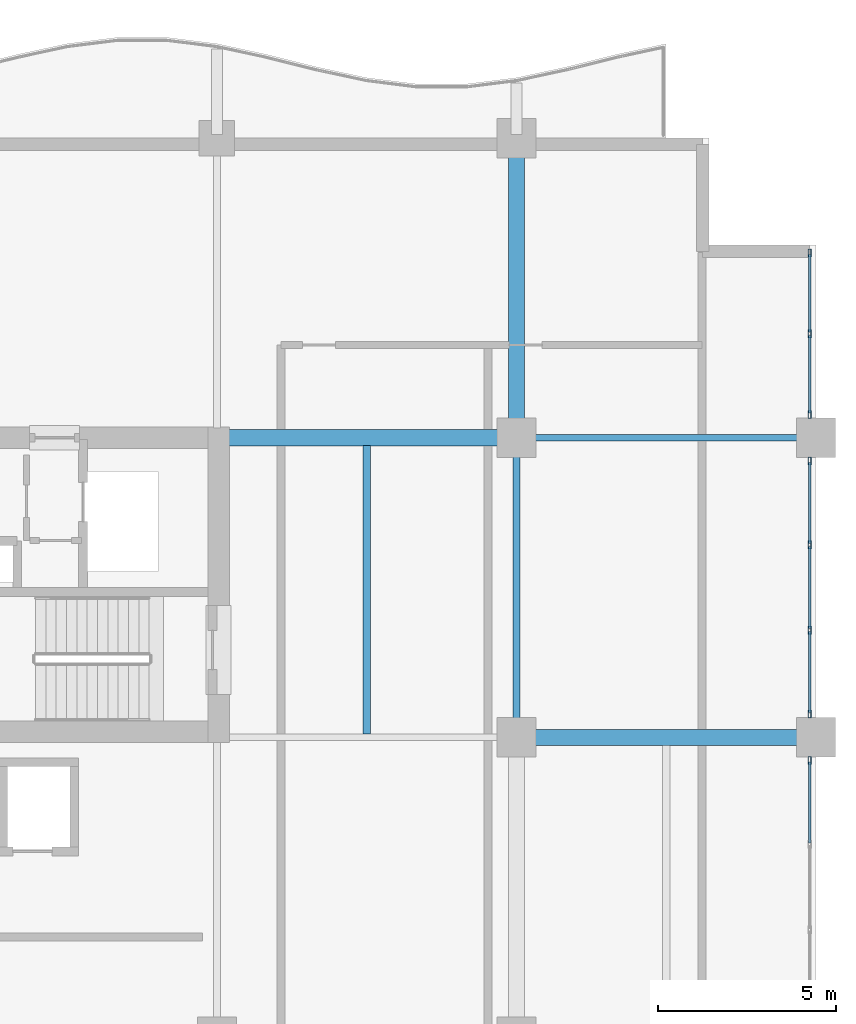
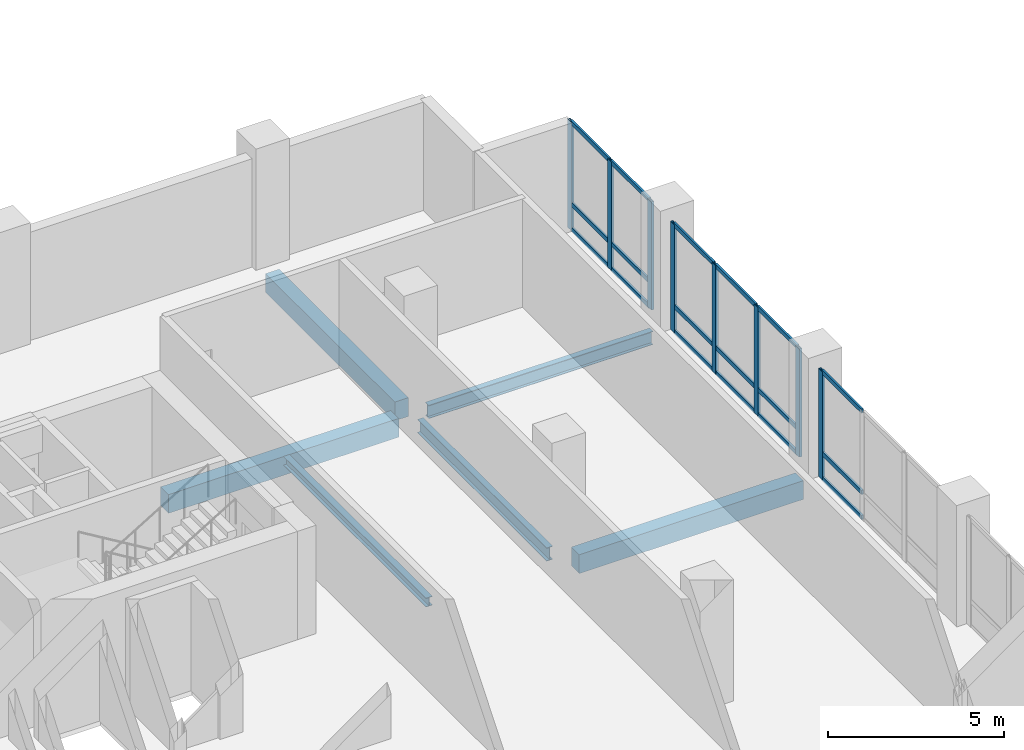
# One storey, part 4 of 21: 26 members, 6 beams, 3 elements without a shape of their own.
"""IFC4 building model written with IfcOpenShell, lengths in metres."""

from ifc_helpers import new_model, si_unit, direction, frame, origin, origin_2d, place, context, subcontext, project, spatial, rectangle, hollow_rectangle, i_section, extrude, material, layer, layer_set, material_profile, profile_set, type_object, element, aggregate, save


model = new_model("IFC4")

# Units and contexts
model_context = context("Model", 3, precision=1e-05, world=origin(), true_north=direction((0.0, 1.0)))
body_context = subcontext(model_context, "Body", "Model", "MODEL_VIEW")
ifc_project = project(units=[si_unit("LENGTHUNIT", "METRE"), si_unit("AREAUNIT", "SQUARE_METRE"), si_unit("VOLUMEUNIT", "CUBIC_METRE"), si_unit("PLANEANGLEUNIT", "RADIAN"), si_unit("MASSUNIT", "GRAM", prefix="KILO")], contexts=[model_context])

# Site, building, storey
site_placement = place(None, origin())
site = spatial("IfcSite", under=ifc_project, at=site_placement, CompositionType="ELEMENT")
building_placement = place(site_placement, origin())
building = spatial("IfcBuilding", under=site, at=building_placement, Name="Koriwani Terraces Tower", CompositionType="ELEMENT")
storey_placement = place(building_placement, frame((0.0, 0.0, 224.0)))
storey = spatial("IfcBuildingStorey", under=building, at=storey_placement, Name="L55", CompositionType="ELEMENT", Elevation=224.0)

# Beams
ifc_material_1 = material(Name="Concrete C50/60", Category="concrete")
ifc_material_profile_1 = material_profile(ifc_material_1, rectangle(XDim=0.449951171875, YDim=0.64990234375, at=origin_2d()), Name="Concrete C50/60", Category="LoadBearing")
ifc_profile_set_1 = profile_set([ifc_material_profile_1], Name="Concrete C50/60")
beam_type_1 = type_object("IfcBeamType", Name="BEAM_RC_GRID_450X650", PredefinedType="BEAM", material=ifc_profile_set_1)
beam_1_placement = place(storey_placement, frame((67.72998046875, 16.800048828125, -0.554931640625), z_axis=(1.0, 0.0, 0.0), x_axis=(0.0, 1.0, 0.0)))
element("IfcBeam", 1, at=beam_1_placement, inside=storey, type_object=beam_type_1, Name="L55 Grid Beam C (67.2-75.6m)", PredefinedType="BEAM", context=body_context, shape_type="SweptSolid", body=[
    extrude(rectangle(XDim=0.449951171875, YDim=0.64990234375, at=origin_2d()), origin(), (0.0, 0.0, 1.0), 7.340087890625),
])
beam_2_placement = place(storey_placement, frame((59.1298828125, 25.199951171875, -0.554931640625), z_axis=(1.0, 0.0, 0.0), x_axis=(0.0, 1.0, 0.0)))
element("IfcBeam", 2, at=beam_2_placement, inside=storey, type_object=beam_type_1, Name="L55 Grid Beam D (58.8-67.2m)", PredefinedType="BEAM", context=body_context, shape_type="SweptSolid", body=[
    extrude(rectangle(XDim=0.449951171875, YDim=0.64990234375, at=origin_2d()), origin(), (0.0, 0.0, 1.0), 7.5400390625),
])
beam_3_placement = place(storey_placement, frame((67.199951171875, 25.72998046875, -0.554931640625), z_axis=(0.0, 1.0, 0.0), x_axis=(-1.0, 0.0, 0.0)))
element("IfcBeam", 3, at=beam_3_placement, inside=storey, type_object=beam_type_1, Name="L55 Grid Beam 9 (25.2-33.6m)", PredefinedType="BEAM", context=body_context, shape_type="SweptSolid", body=[
    extrude(rectangle(XDim=0.449951171875, YDim=0.64990234375, at=origin_2d()), origin(), (0.0, 0.0, 1.0), 7.340087890625),
])

# Curtain wall, members
ifc_material_2 = material(Name="Anodised Bronze Aluminium", Category="aluminium")
ifc_layer = layer(ifc_material_2, 0.219970703125, Name="Anodised Bronze Aluminium")
ifc_layer_set = layer_set([ifc_layer], Name="Anodised Bronze Aluminium")
curtain_wall_type = type_object("IfcCurtainWallType", Name="CW_SKY_LOUNGE", PredefinedType="NOTDEFINED", material=ifc_layer_set)
curtain_wall_1_placement = place(storey_placement, origin())
curtain_wall_1 = element("IfcCurtainWall", 4, at=curtain_wall_1_placement, inside=storey, type_object=curtain_wall_type, Name="L55 Unitised Curtain Wall (E_TIP) Bay 1", PredefinedType="NOTDEFINED")
ifc_material_profile_2 = material_profile(ifc_material_2, hollow_rectangle(XDim=0.0849609375, YDim=0.219970703125, WallThickness=0.008056640625, at=origin_2d()), Name="Anodised Bronze Aluminium", Category="LoadBearing")
ifc_profile_set_2 = profile_set([ifc_material_profile_2], Name="Anodised Bronze Aluminium")
member_type_1 = type_object("IfcMemberType", Name="CW_MULLION_220X85", PredefinedType="MULLION", material=ifc_profile_set_2)
member_1_placement = place(storey_placement, frame((75.425048828125, 30.382568359375, 0.0), z_axis=(0.0, 0.0, 1.0), x_axis=(1.0, 0.0, 0.0)))
member_1 = element("IfcMember", 5, at=member_1_placement, type_object=member_type_1, Name="CW-SKY mullion 1", PredefinedType="MULLION", context=body_context, shape_type="SweptSolid", body=[
    extrude(hollow_rectangle(XDim=0.0849609375, YDim=0.219970703125, WallThickness=0.008056640625, at=origin_2d()), origin(), (0.0, 0.0, 1.0), 3.75),
])
member_2_placement = place(storey_placement, frame((75.425048828125, 28.117431640625, 0.0), z_axis=(0.0, 0.0, 1.0), x_axis=(1.0, 0.0, 0.0)))
member_2 = element("IfcMember", 6, at=member_2_placement, type_object=member_type_1, Name="CW-SKY mullion 2", PredefinedType="MULLION", context=body_context, shape_type="SweptSolid", body=[
    extrude(hollow_rectangle(XDim=0.0849609375, YDim=0.219970703125, WallThickness=0.008056640625, at=origin_2d()), origin(), (0.0, 0.0, 1.0), 3.75),
])
member_3_placement = place(storey_placement, frame((75.425048828125, 25.8525390625, 0.0), z_axis=(0.0, 0.0, 1.0), x_axis=(1.0, 0.0, 0.0)))
member_3 = element("IfcMember", 7, at=member_3_placement, type_object=member_type_1, Name="CW-SKY mullion 3", PredefinedType="MULLION", context=body_context, shape_type="SweptSolid", body=[
    extrude(hollow_rectangle(XDim=0.0849609375, YDim=0.219970703125, WallThickness=0.008056640625, at=origin_2d()), origin(), (0.0, 0.0, 1.0), 3.75),
])

curtain_wall_2_placement = place(storey_placement, origin())
curtain_wall_2 = element("IfcCurtainWall", 8, at=curtain_wall_2_placement, inside=storey, type_object=curtain_wall_type, Name="L55 Unitised Curtain Wall (E_TIP) Bay 2", PredefinedType="NOTDEFINED")
member_4_placement = place(storey_placement, frame((75.425048828125, 24.547607421875, 0.0), z_axis=(0.0, 0.0, 1.0), x_axis=(1.0, 0.0, 0.0)))
member_4 = element("IfcMember", 9, at=member_4_placement, type_object=member_type_1, Name="CW-SKY mullion 1", PredefinedType="MULLION", context=body_context, shape_type="SweptSolid", body=[
    extrude(hollow_rectangle(XDim=0.0849609375, YDim=0.219970703125, WallThickness=0.008056640625, at=origin_2d()), origin(), (0.0, 0.0, 1.0), 3.75),
])
member_5_placement = place(storey_placement, frame((75.425048828125, 22.19677734375, 0.0), z_axis=(0.0, 0.0, 1.0), x_axis=(1.0, 0.0, 0.0)))
member_5 = element("IfcMember", 10, at=member_5_placement, type_object=member_type_1, Name="CW-SKY mullion 2", PredefinedType="MULLION", context=body_context, shape_type="SweptSolid", body=[
    extrude(hollow_rectangle(XDim=0.0849609375, YDim=0.219970703125, WallThickness=0.008056640625, at=origin_2d()), origin(), (0.0, 0.0, 1.0), 3.75),
])
member_6_placement = place(storey_placement, frame((75.425048828125, 19.80322265625, 0.0), z_axis=(0.0, 0.0, 1.0), x_axis=(1.0, 0.0, 0.0)))
member_6 = element("IfcMember", 11, at=member_6_placement, type_object=member_type_1, Name="CW-SKY mullion 3", PredefinedType="MULLION", context=body_context, shape_type="SweptSolid", body=[
    extrude(hollow_rectangle(XDim=0.0849609375, YDim=0.219970703125, WallThickness=0.008056640625, at=origin_2d()), origin(), (0.0, 0.0, 1.0), 3.75),
])
member_7_placement = place(storey_placement, frame((75.425048828125, 17.452392578125, 0.0), z_axis=(0.0, 0.0, 1.0), x_axis=(1.0, 0.0, 0.0)))
member_7 = element("IfcMember", 12, at=member_7_placement, type_object=member_type_1, Name="CW-SKY mullion 4", PredefinedType="MULLION", context=body_context, shape_type="SweptSolid", body=[
    extrude(hollow_rectangle(XDim=0.0849609375, YDim=0.219970703125, WallThickness=0.008056640625, at=origin_2d()), origin(), (0.0, 0.0, 1.0), 3.75),
])

# Curtain wall, member
curtain_wall_3_placement = place(storey_placement, origin())
curtain_wall_3 = element("IfcCurtainWall", 13, at=curtain_wall_3_placement, inside=storey, type_object=curtain_wall_type, Name="L55 Unitised Curtain Wall (E_TIP) Bay 3", PredefinedType="NOTDEFINED")
member_8_placement = place(storey_placement, frame((75.425048828125, 16.1474609375, 0.0), z_axis=(0.0, 0.0, 1.0), x_axis=(1.0, 0.0, 0.0)))
member_8 = element("IfcMember", 14, at=member_8_placement, type_object=member_type_1, Name="CW-SKY mullion 1", PredefinedType="MULLION", context=body_context, shape_type="SweptSolid", body=[
    extrude(hollow_rectangle(XDim=0.0849609375, YDim=0.219970703125, WallThickness=0.008056640625, at=origin_2d()), origin(), (0.0, 0.0, 1.0), 3.75),
])

# Member
ifc_material_profile_3 = material_profile(ifc_material_2, hollow_rectangle(XDim=0.06494140625, YDim=0.14990234375, WallThickness=0.0048828125, at=origin_2d()), Name="Anodised Bronze Aluminium", Category="LoadBearing")
ifc_profile_set_3 = profile_set([ifc_material_profile_3], Name="Anodised Bronze Aluminium")
member_type_2 = type_object("IfcMemberType", Name="CW_TRANSOM_150X65", PredefinedType="USERDEFINED", material=ifc_profile_set_3)
member_9_placement = place(storey_placement, frame((75.425048828125, 30.340087890625, 0.032470703125), z_axis=(0.0, -1.0, 0.0), x_axis=(1.0, 0.0, 0.0)))
member_9 = element("IfcMember", 15, at=member_9_placement, type_object=member_type_2, Name="CW-SKY transom 1.1", ObjectType="TRANSOM", PredefinedType="USERDEFINED", context=body_context, shape_type="SweptSolid", body=[
    extrude(hollow_rectangle(XDim=0.06494140625, YDim=0.14990234375, WallThickness=0.0048828125, at=origin_2d()), origin(), (0.0, 0.0, 1.0), 2.18017578125),
])

member_10_placement = place(storey_placement, frame((75.425048828125, 30.340087890625, 0.89990234375), z_axis=(0.0, -1.0, 0.0), x_axis=(1.0, 0.0, 0.0)))
member_10 = element("IfcMember", 16, at=member_10_placement, type_object=member_type_2, Name="CW-SKY transom 1.2", ObjectType="TRANSOM", PredefinedType="USERDEFINED", context=body_context, shape_type="SweptSolid", body=[
    extrude(hollow_rectangle(XDim=0.06494140625, YDim=0.14990234375, WallThickness=0.0048828125, at=origin_2d()), origin(), (0.0, 0.0, 1.0), 2.18017578125),
])

member_11_placement = place(storey_placement, frame((75.425048828125, 30.340087890625, 3.717529296875), z_axis=(0.0, -1.0, 0.0), x_axis=(1.0, 0.0, 0.0)))
member_11 = element("IfcMember", 17, at=member_11_placement, type_object=member_type_2, Name="CW-SKY transom 1.3", ObjectType="TRANSOM", PredefinedType="USERDEFINED", context=body_context, shape_type="SweptSolid", body=[
    extrude(hollow_rectangle(XDim=0.06494140625, YDim=0.14990234375, WallThickness=0.0048828125, at=origin_2d()), origin(), (0.0, 0.0, 1.0), 2.18017578125),
])

member_12_placement = place(storey_placement, frame((75.425048828125, 28.074951171875, 0.032470703125), z_axis=(0.0, -1.0, 0.0), x_axis=(1.0, 0.0, 0.0)))
member_12 = element("IfcMember", 18, at=member_12_placement, type_object=member_type_2, Name="CW-SKY transom 2.1", ObjectType="TRANSOM", PredefinedType="USERDEFINED", context=body_context, shape_type="SweptSolid", body=[
    extrude(hollow_rectangle(XDim=0.06494140625, YDim=0.14990234375, WallThickness=0.0048828125, at=origin_2d()), origin(), (0.0, 0.0, 1.0), 2.179931640625),
])

member_13_placement = place(storey_placement, frame((75.425048828125, 28.074951171875, 0.89990234375), z_axis=(0.0, -1.0, 0.0), x_axis=(1.0, 0.0, 0.0)))
member_13 = element("IfcMember", 19, at=member_13_placement, type_object=member_type_2, Name="CW-SKY transom 2.2", ObjectType="TRANSOM", PredefinedType="USERDEFINED", context=body_context, shape_type="SweptSolid", body=[
    extrude(hollow_rectangle(XDim=0.06494140625, YDim=0.14990234375, WallThickness=0.0048828125, at=origin_2d()), origin(), (0.0, 0.0, 1.0), 2.179931640625),
])

member_14_placement = place(storey_placement, frame((75.425048828125, 28.074951171875, 3.717529296875), z_axis=(0.0, -1.0, 0.0), x_axis=(1.0, 0.0, 0.0)))
member_14 = element("IfcMember", 20, at=member_14_placement, type_object=member_type_2, Name="CW-SKY transom 2.3", ObjectType="TRANSOM", PredefinedType="USERDEFINED", context=body_context, shape_type="SweptSolid", body=[
    extrude(hollow_rectangle(XDim=0.06494140625, YDim=0.14990234375, WallThickness=0.0048828125, at=origin_2d()), origin(), (0.0, 0.0, 1.0), 2.179931640625),
])

aggregate(curtain_wall_1, [member_1, member_2, member_3, member_9, member_10, member_11, member_12, member_13, member_14])

member_15_placement = place(storey_placement, frame((75.425048828125, 24.5048828125, 0.032470703125), z_axis=(0.0, -1.0, 0.0), x_axis=(1.0, 0.0, 0.0)))
member_15 = element("IfcMember", 21, at=member_15_placement, type_object=member_type_2, Name="CW-SKY transom 1.1", ObjectType="TRANSOM", PredefinedType="USERDEFINED", context=body_context, shape_type="SweptSolid", body=[
    extrude(hollow_rectangle(XDim=0.06494140625, YDim=0.14990234375, WallThickness=0.0048828125, at=origin_2d()), origin(), (0.0, 0.0, 1.0), 2.265625),
])

member_16_placement = place(storey_placement, frame((75.425048828125, 24.5048828125, 0.89990234375), z_axis=(0.0, -1.0, 0.0), x_axis=(1.0, 0.0, 0.0)))
member_16 = element("IfcMember", 22, at=member_16_placement, type_object=member_type_2, Name="CW-SKY transom 1.2", ObjectType="TRANSOM", PredefinedType="USERDEFINED", context=body_context, shape_type="SweptSolid", body=[
    extrude(hollow_rectangle(XDim=0.06494140625, YDim=0.14990234375, WallThickness=0.0048828125, at=origin_2d()), origin(), (0.0, 0.0, 1.0), 2.265625),
])

member_17_placement = place(storey_placement, frame((75.425048828125, 24.5048828125, 3.717529296875), z_axis=(0.0, -1.0, 0.0), x_axis=(1.0, 0.0, 0.0)))
member_17 = element("IfcMember", 23, at=member_17_placement, type_object=member_type_2, Name="CW-SKY transom 1.3", ObjectType="TRANSOM", PredefinedType="USERDEFINED", context=body_context, shape_type="SweptSolid", body=[
    extrude(hollow_rectangle(XDim=0.06494140625, YDim=0.14990234375, WallThickness=0.0048828125, at=origin_2d()), origin(), (0.0, 0.0, 1.0), 2.265625),
])

member_18_placement = place(storey_placement, frame((75.425048828125, 22.154052734375, 0.032470703125), z_axis=(0.0, -1.0, 0.0), x_axis=(1.0, 0.0, 0.0)))
member_18 = element("IfcMember", 24, at=member_18_placement, type_object=member_type_2, Name="CW-SKY transom 2.1", ObjectType="TRANSOM", PredefinedType="USERDEFINED", context=body_context, shape_type="SweptSolid", body=[
    extrude(hollow_rectangle(XDim=0.06494140625, YDim=0.14990234375, WallThickness=0.0048828125, at=origin_2d()), origin(), (0.0, 0.0, 1.0), 2.30810546875),
])

member_19_placement = place(storey_placement, frame((75.425048828125, 22.154052734375, 0.89990234375), z_axis=(0.0, -1.0, 0.0), x_axis=(1.0, 0.0, 0.0)))
member_19 = element("IfcMember", 25, at=member_19_placement, type_object=member_type_2, Name="CW-SKY transom 2.2", ObjectType="TRANSOM", PredefinedType="USERDEFINED", context=body_context, shape_type="SweptSolid", body=[
    extrude(hollow_rectangle(XDim=0.06494140625, YDim=0.14990234375, WallThickness=0.0048828125, at=origin_2d()), origin(), (0.0, 0.0, 1.0), 2.30810546875),
])

member_20_placement = place(storey_placement, frame((75.425048828125, 22.154052734375, 3.717529296875), z_axis=(0.0, -1.0, 0.0), x_axis=(1.0, 0.0, 0.0)))
member_20 = element("IfcMember", 26, at=member_20_placement, type_object=member_type_2, Name="CW-SKY transom 2.3", ObjectType="TRANSOM", PredefinedType="USERDEFINED", context=body_context, shape_type="SweptSolid", body=[
    extrude(hollow_rectangle(XDim=0.06494140625, YDim=0.14990234375, WallThickness=0.0048828125, at=origin_2d()), origin(), (0.0, 0.0, 1.0), 2.30810546875),
])

member_21_placement = place(storey_placement, frame((75.425048828125, 19.7607421875, 0.032470703125), z_axis=(0.0, -1.0, 0.0), x_axis=(1.0, 0.0, 0.0)))
member_21 = element("IfcMember", 27, at=member_21_placement, type_object=member_type_2, Name="CW-SKY transom 3.1", ObjectType="TRANSOM", PredefinedType="USERDEFINED", context=body_context, shape_type="SweptSolid", body=[
    extrude(hollow_rectangle(XDim=0.06494140625, YDim=0.14990234375, WallThickness=0.0048828125, at=origin_2d()), origin(), (0.0, 0.0, 1.0), 2.265625),
])

member_22_placement = place(storey_placement, frame((75.425048828125, 19.7607421875, 0.89990234375), z_axis=(0.0, -1.0, 0.0), x_axis=(1.0, 0.0, 0.0)))
member_22 = element("IfcMember", 28, at=member_22_placement, type_object=member_type_2, Name="CW-SKY transom 3.2", ObjectType="TRANSOM", PredefinedType="USERDEFINED", context=body_context, shape_type="SweptSolid", body=[
    extrude(hollow_rectangle(XDim=0.06494140625, YDim=0.14990234375, WallThickness=0.0048828125, at=origin_2d()), origin(), (0.0, 0.0, 1.0), 2.265625),
])

member_23_placement = place(storey_placement, frame((75.425048828125, 19.7607421875, 3.717529296875), z_axis=(0.0, -1.0, 0.0), x_axis=(1.0, 0.0, 0.0)))
member_23 = element("IfcMember", 29, at=member_23_placement, type_object=member_type_2, Name="CW-SKY transom 3.3", ObjectType="TRANSOM", PredefinedType="USERDEFINED", context=body_context, shape_type="SweptSolid", body=[
    extrude(hollow_rectangle(XDim=0.06494140625, YDim=0.14990234375, WallThickness=0.0048828125, at=origin_2d()), origin(), (0.0, 0.0, 1.0), 2.265625),
])

aggregate(curtain_wall_2, [member_4, member_5, member_6, member_7, member_15, member_16, member_17, member_18, member_19, member_20, member_21, member_22, member_23])

member_24_placement = place(storey_placement, frame((75.425048828125, 16.10498046875, 0.032470703125), z_axis=(0.0, -1.0, 0.0), x_axis=(1.0, 0.0, 0.0)))
member_24 = element("IfcMember", 30, at=member_24_placement, type_object=member_type_2, Name="CW-SKY transom 1.1", ObjectType="TRANSOM", PredefinedType="USERDEFINED", context=body_context, shape_type="SweptSolid", body=[
    extrude(hollow_rectangle(XDim=0.06494140625, YDim=0.14990234375, WallThickness=0.0048828125, at=origin_2d()), origin(), (0.0, 0.0, 1.0), 2.265869140625),
])

member_25_placement = place(storey_placement, frame((75.425048828125, 16.10498046875, 0.89990234375), z_axis=(0.0, -1.0, 0.0), x_axis=(1.0, 0.0, 0.0)))
member_25 = element("IfcMember", 31, at=member_25_placement, type_object=member_type_2, Name="CW-SKY transom 1.2", ObjectType="TRANSOM", PredefinedType="USERDEFINED", context=body_context, shape_type="SweptSolid", body=[
    extrude(hollow_rectangle(XDim=0.06494140625, YDim=0.14990234375, WallThickness=0.0048828125, at=origin_2d()), origin(), (0.0, 0.0, 1.0), 2.265869140625),
])

member_26_placement = place(storey_placement, frame((75.425048828125, 16.10498046875, 3.717529296875), z_axis=(0.0, -1.0, 0.0), x_axis=(1.0, 0.0, 0.0)))
member_26 = element("IfcMember", 32, at=member_26_placement, type_object=member_type_2, Name="CW-SKY transom 1.3", ObjectType="TRANSOM", PredefinedType="USERDEFINED", context=body_context, shape_type="SweptSolid", body=[
    extrude(hollow_rectangle(XDim=0.06494140625, YDim=0.14990234375, WallThickness=0.0048828125, at=origin_2d()), origin(), (0.0, 0.0, 1.0), 2.265869140625),
])

aggregate(curtain_wall_3, [member_8, member_24, member_25, member_26])

# Beams
ifc_material_3 = material(Name="Steel ASTM A572 Grade 50", Category="steel")
ifc_material_profile_4 = material_profile(ifc_material_3, i_section(OverallWidth=0.205078125, OverallDepth=0.31005859375, WebThickness=0.009521484375, FlangeThickness=0.016357421875, at=origin_2d()), Name="Steel ASTM A572 Grade 50", Category="LoadBearing")
ifc_profile_set_4 = profile_set([ifc_material_profile_4], Name="Steel ASTM A572 Grade 50")
beam_type_2 = type_object("IfcBeamType", Name="STEEL_BEAM_W310X74", PredefinedType="JOIST", material=ifc_profile_set_4)
beam_4_placement = place(storey_placement, frame((63.0, 16.885986328125, -0.385009765625), z_axis=(0.0, 1.0, 0.0), x_axis=(-1.0, 0.0, 0.0)))
element("IfcBeam", 33, at=beam_4_placement, inside=storey, type_object=beam_type_2, Name="L55 Secondary Steel Floor Joist X=63.0m", PredefinedType="JOIST", context=body_context, shape_type="SweptSolid", body=[
    extrude(i_section(OverallWidth=0.205078125, OverallDepth=0.31005859375, WebThickness=0.009521484375, FlangeThickness=0.016357421875, at=origin_2d()), origin(), (0.0, 0.0, 1.0), 8.09912109375),
])
ifc_material_profile_5 = material_profile(ifc_material_3, i_section(OverallWidth=0.19189453125, OverallDepth=0.462890625, WebThickness=0.010498046875, FlangeThickness=0.01611328125, at=origin_2d()), Name="Steel ASTM A572 Grade 50", Category="LoadBearing")
ifc_profile_set_5 = profile_set([ifc_material_profile_5], Name="Steel ASTM A572 Grade 50")
beam_type_3 = type_object("IfcBeamType", Name="STEEL_BEAM_W460X89", PredefinedType="BEAM", material=ifc_profile_set_5)
beam_5_placement = place(storey_placement, frame((67.72998046875, 25.199951171875, -0.46142578125), z_axis=(1.0, 0.0, 0.0), x_axis=(0.0, 1.0, 0.0)))
element("IfcBeam", 34, at=beam_5_placement, inside=storey, type_object=beam_type_3, Name="L55 Grid Beam D (67.2-75.6m)", PredefinedType="BEAM", context=body_context, shape_type="SweptSolid", body=[
    extrude(i_section(OverallWidth=0.19189453125, OverallDepth=0.462890625, WebThickness=0.010498046875, FlangeThickness=0.01611328125, at=origin_2d()), origin(), (0.0, 0.0, 1.0), 7.340087890625),
])
beam_6_placement = place(storey_placement, frame((67.199951171875, 17.330078125, -0.46142578125), z_axis=(0.0, 1.0, 0.0), x_axis=(-1.0, 0.0, 0.0)))
element("IfcBeam", 35, at=beam_6_placement, inside=storey, type_object=beam_type_3, Name="L55 Grid Beam 9 (16.8-25.2m)", PredefinedType="BEAM", context=body_context, shape_type="SweptSolid", body=[
    extrude(i_section(OverallWidth=0.19189453125, OverallDepth=0.462890625, WebThickness=0.010498046875, FlangeThickness=0.01611328125, at=origin_2d()), origin(), (0.0, 0.0, 1.0), 7.33984375),
])

save(model, "model.ifc")
